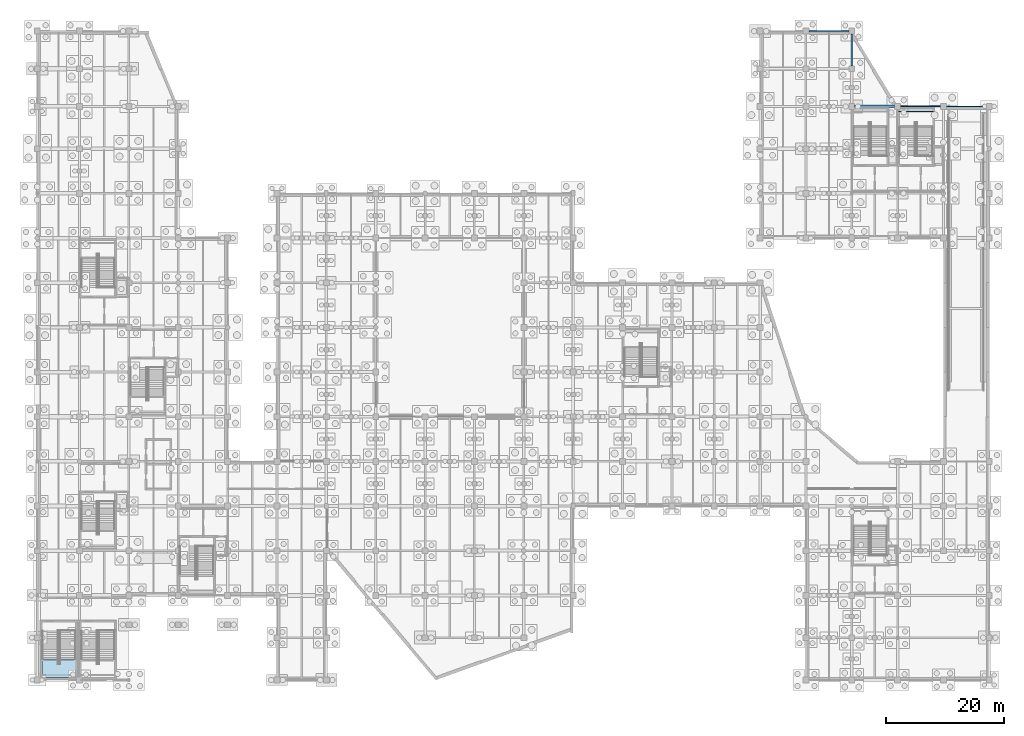
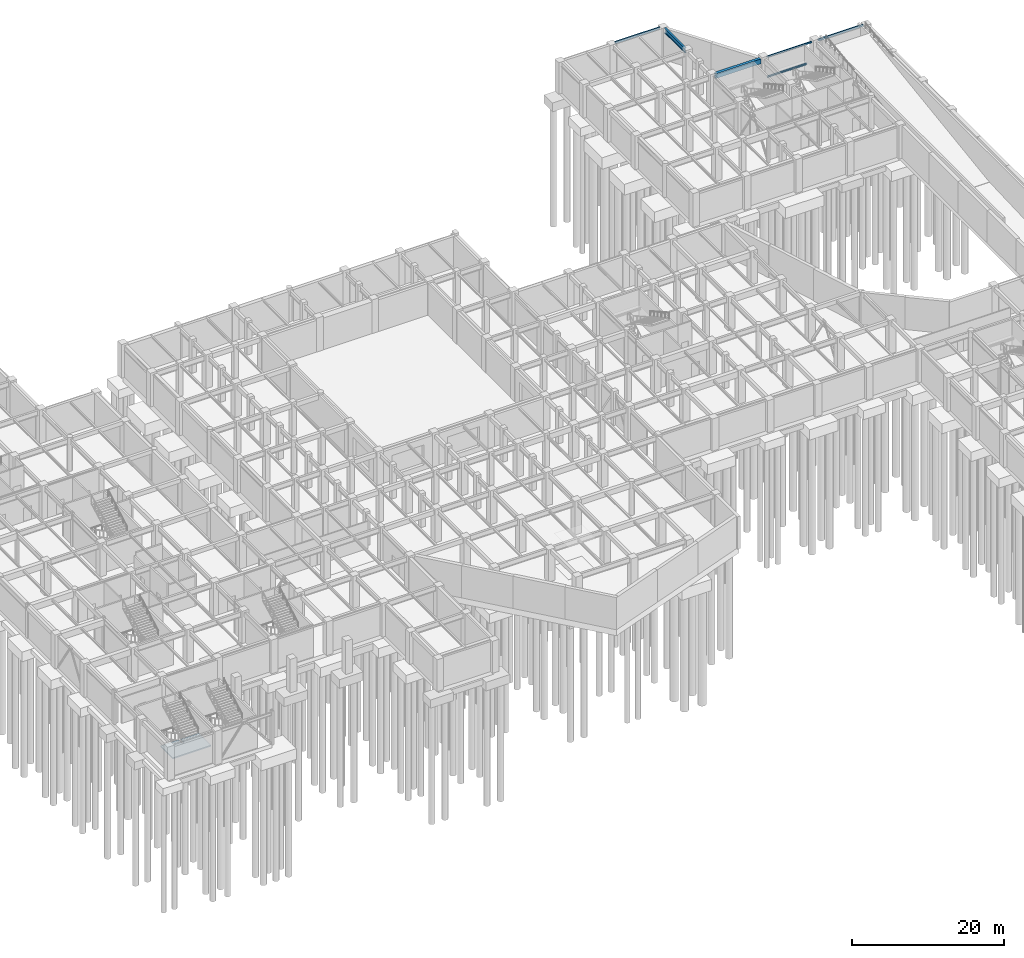
# One storey, part 30 of 52: 6 beams, 1 slab, 1 element without a shape of its own.
"""IFC4 building model written with IfcOpenShell, lengths in metres."""

from ifc_helpers import new_model, si_unit, direction, frame, origin, origin_2d, place, context, subcontext, project, spatial, polyline, rectangle, hollow_rectangle, i_section, outline, extrude, material, layer, layer_set, material_profile, profile_set, type_object, element, aggregate, save


model = new_model("IFC4")

# Units and contexts
model_context = context("Model", 3, precision=1e-05, world=origin(), true_north=direction((0.0, 1.0)))
body_context = subcontext(model_context, "Body", "Model", "MODEL_VIEW")
ifc_project = project(units=[si_unit("LENGTHUNIT", "METRE"), si_unit("AREAUNIT", "SQUARE_METRE"), si_unit("VOLUMEUNIT", "CUBIC_METRE"), si_unit("PLANEANGLEUNIT", "RADIAN"), si_unit("MASSUNIT", "GRAM", prefix="KILO")], contexts=[model_context])

# Site, building, storey
site_placement = place(None, origin())
site = spatial("IfcSite", under=ifc_project, at=site_placement, CompositionType="ELEMENT")
building_placement = place(site_placement, origin())
building = spatial("IfcBuilding", under=site, at=building_placement, Name="Xicomal Pleat Aquarium", CompositionType="ELEMENT")
storey_placement = place(building_placement, frame((0.0, 0.0, -5.39990234375)))
storey = spatial("IfcBuildingStorey", under=building, at=storey_placement, Name="B1", CompositionType="ELEMENT", Elevation=-5.39990234375)

# Beams
ifc_material_1 = material(Name="Concrete C40/50", Category="concrete")
ifc_material_profile_1 = material_profile(ifc_material_1, rectangle(XDim=0.449951171875, YDim=0.75, at=origin_2d()), Name="RC 450x750")
ifc_profile_set_1 = profile_set([ifc_material_profile_1], Name="Concrete C40/50")
beam_type_1 = type_object("IfcBeamType", Name="BM-RC-450x750", PredefinedType="BEAM", material=ifc_profile_set_1)
beam_1_placement = place(storey_placement, frame((142.094970703125, 98.39990234375, 4.6748046875), z_axis=(1.0, 0.0, 0.0), x_axis=(0.0, 1.0, 0.0)))
element("IfcBeam", 1, at=beam_1_placement, inside=storey, type_object=beam_type_1, Name="B1 framing beam FGX-B1-18-19-P", PredefinedType="BEAM", context=body_context, shape_type="SweptSolid", body=[
    extrude(rectangle(XDim=0.449951171875, YDim=0.75, at=origin_2d()), origin(), (0.0, 0.0, 1.0), 6.81005859375),
])
ifc_material_2 = material(Name="Structural steel A992 Gr 50", Category="steel")
ifc_material_profile_2 = material_profile(ifc_material_2, i_section(OverallWidth=0.201904296875, OverallDepth=0.2470703125, WebThickness=0.00732421875, FlangeThickness=0.010986328125, at=origin_2d()), Name="IR 250x49")
ifc_profile_set_2 = profile_set([ifc_material_profile_2], Name="Structural steel A992 Gr 50")
beam_type_2 = type_object("IfcBeamType", Name="BM-STL-IR250", PredefinedType="JOIST", material=ifc_profile_set_2)
beam_2_placement = place(storey_placement, frame((149.52001953125, 97.550048828125, 2.37890625), z_axis=(1.0, 0.0, 0.0), x_axis=(0.0, 1.0, 0.0)))
element("IfcBeam", 2, at=beam_2_placement, inside=storey, type_object=beam_type_2, Name="ST-06-B1 half-landing bearer beam 1", PredefinedType="JOIST", context=body_context, shape_type="SweptSolid", body=[
    extrude(i_section(OverallWidth=0.201904296875, OverallDepth=0.2470703125, WebThickness=0.00732421875, FlangeThickness=0.010986328125, at=origin_2d()), origin(), (0.0, 0.0, 1.0), 6.02001953125),
])
ifc_material_3 = material(Name="Structural steel A992 Gr 50", Category="steel")
ifc_material_profile_3 = material_profile(ifc_material_3, i_section(OverallWidth=0.26806640625, OverallDepth=0.77001953125, WebThickness=0.015625, FlangeThickness=0.025390625, at=origin_2d()), Name="IR 760x196")
ifc_profile_set_3 = profile_set([ifc_material_profile_3], Name="Structural steel A992 Gr 50")
beam_type_3 = type_object("IfcBeamType", Name="BM-STL-IR760", PredefinedType="BEAM", material=ifc_profile_set_3)
beam_3_placement = place(storey_placement, frame((141.60009765625, 105.294921875, 4.664794921875), z_axis=(0.0, 1.0, 0.0), x_axis=(-1.0, 0.0, 0.0)))
element("IfcBeam", 3, at=beam_3_placement, inside=storey, type_object=beam_type_3, Name="B1 framing beam FGY-B1-18-Q-R", PredefinedType="BEAM", context=body_context, shape_type="SweptSolid", body=[
    extrude(i_section(OverallWidth=0.26806640625, OverallDepth=0.77001953125, WebThickness=0.015625, FlangeThickness=0.025390625, at=origin_2d()), origin(), (0.0, 0.0, 1.0), 5.41015625),
])
ifc_material_4 = material(Name="Structural steel A500 Gr C", Category="steel")
ifc_material_profile_4 = material_profile(ifc_material_4, hollow_rectangle(XDim=0.14990234375, YDim=0.25, WallThickness=0.010009765625, at=origin_2d()), Name="OR 250x150x10")
ifc_profile_set_4 = profile_set([ifc_material_profile_4], Name="Structural steel A500 Gr C")
beam_type_4 = type_object("IfcBeamType", Name="BM-STL-OR250", PredefinedType="SPANDREL", material=ifc_profile_set_4)
beam_4_placement = place(storey_placement, frame((149.89501953125, 98.39990234375, 4.9248046875), z_axis=(1.0, 0.0, 0.0), x_axis=(0.0, 1.0, 0.0)))
element("IfcBeam", 4, at=beam_4_placement, inside=storey, type_object=beam_type_4, Name="B1 framing beam FGX-B1-19-20-P", PredefinedType="SPANDREL", context=body_context, shape_type="SweptSolid", body=[
    extrude(hollow_rectangle(XDim=0.14990234375, YDim=0.25, WallThickness=0.010009765625, at=origin_2d()), origin(), (0.0, 0.0, 1.0), 6.81005859375),
])
ifc_material_5 = material(Name="Structural steel A500 Gr C", Category="steel")
ifc_material_profile_5 = material_profile(ifc_material_5, hollow_rectangle(XDim=0.199951171875, YDim=0.300048828125, WallThickness=0.011962890625, at=origin_2d()), Name="OR 300x200x12")
ifc_profile_set_5 = profile_set([ifc_material_profile_5], Name="Structural steel A500 Gr C")
beam_type_5 = type_object("IfcBeamType", Name="BM-STL-OR300", PredefinedType="SPANDREL", material=ifc_profile_set_5)
beam_5_placement = place(storey_placement, frame((157.695068359375, 98.39990234375, 4.89990234375), z_axis=(1.0, 0.0, 0.0), x_axis=(0.0, 1.0, 0.0)))
element("IfcBeam", 5, at=beam_5_placement, inside=storey, type_object=beam_type_5, Name="B1 framing beam FGX-B1-20-21-P", PredefinedType="SPANDREL", context=body_context, shape_type="SweptSolid", body=[
    extrude(hollow_rectangle(XDim=0.199951171875, YDim=0.300048828125, WallThickness=0.011962890625, at=origin_2d()), origin(), (0.0, 0.0, 1.0), 6.809814453125),
])
beam_6_placement = place(storey_placement, frame((134.294921875, 111.199951171875, 4.89990234375), z_axis=(1.0, 0.0, 0.0), x_axis=(0.0, 1.0, 0.0)))
element("IfcBeam", 6, at=beam_6_placement, inside=storey, type_object=beam_type_5, Name="B1 framing beam FGX-B1-17-18-R", PredefinedType="SPANDREL", context=body_context, shape_type="SweptSolid", body=[
    extrude(hollow_rectangle(XDim=0.199951171875, YDim=0.300048828125, WallThickness=0.011962890625, at=origin_2d()), origin(), (0.0, 0.0, 1.0), 6.81005859375),
])

# Stair, slab
ifc_material_6 = material(Name="Concrete C35/45", Category="concrete")
stair_type = type_object("IfcStairType", Name="STR-HT-5400-2400", PredefinedType="HALF_TURN_STAIR", material=ifc_material_6)
stair_placement = place(storey_placement, origin())
stair = element("IfcStair", 7, at=stair_placement, inside=storey, type_object=stair_type, Name="ST-10 fire exit stair B1 to L01", PredefinedType="HALF_TURN_STAIR")
ifc_material_7 = material(Name="Concrete C35/45", Category="concrete")
ifc_layer = layer(ifc_material_7, 0.195068359375)
ifc_layer_set = layer_set([ifc_layer], Name="Concrete C35/45")
slab_type = type_object("IfcSlabType", Name="SLB-LND-195", PredefinedType="LANDING", material=ifc_layer_set)
slab_placement = place(storey_placement, frame((0.0, 0.0, 2.5048828125)))
slab = element("IfcSlab", 8, at=slab_placement, type_object=slab_type, Name="ST-10 landing 1", PredefinedType="LANDING", context=body_context, shape_type="SweptSolid", body=[
    extrude(outline(polyline([(3.800048828125, 1.199951171875), (9.580078125, 1.199951171875), (9.580078125, 4.409912109375), (6.840087890625, 4.409912109375), (6.840087890625, 3.5), (6.5400390625, 3.5), (6.5400390625, 4.409912109375), (3.800048828125, 4.409912109375), (3.800048828125, 1.199951171875)])), origin(), (0.0, 0.0, 1.0), 0.195068359375),
])
aggregate(stair, [slab])

save(model, "model.ifc")
